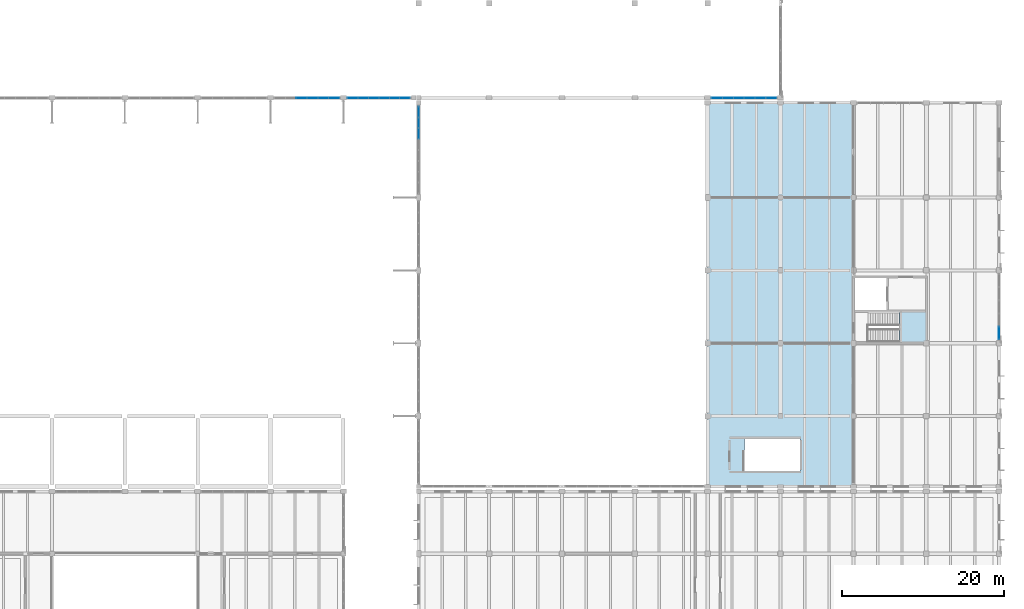
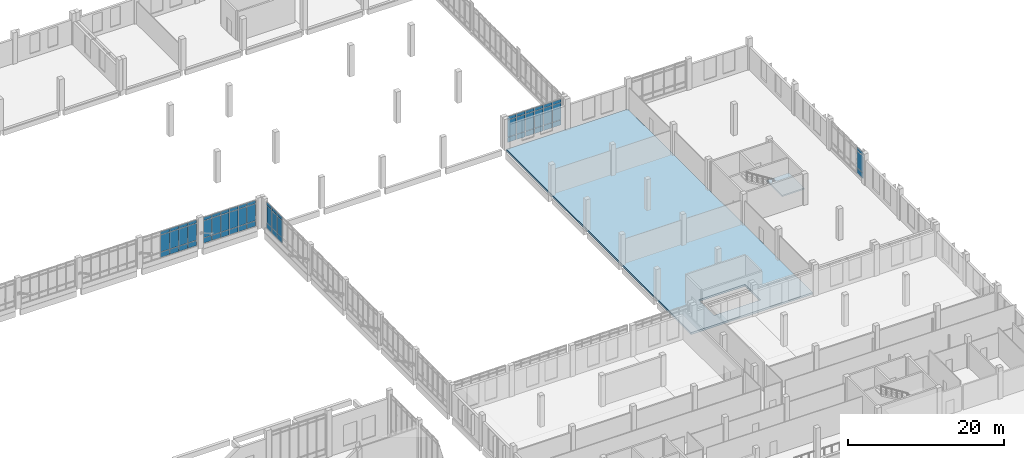
# One storey, part 66 of 110: 60 plates, 2 slabs, 6 elements without a shape of their own.
"""IFC4 building model written with IfcOpenShell, lengths in metres."""

from ifc_helpers import new_model, si_unit, direction, frame, origin, origin_2d, place, context, subcontext, project, spatial, polyline, rectangle, outline, extrude, material, layer, layer_set, type_object, element, aggregate, save


model = new_model("IFC4")

# Units and contexts
model_context = context("Model", 3, precision=1e-05, world=origin(), true_north=direction((0.0, 1.0)))
body_context = subcontext(model_context, "Body", "Model", "MODEL_VIEW")
ifc_project = project(units=[si_unit("LENGTHUNIT", "METRE"), si_unit("AREAUNIT", "SQUARE_METRE"), si_unit("VOLUMEUNIT", "CUBIC_METRE"), si_unit("PLANEANGLEUNIT", "RADIAN"), si_unit("MASSUNIT", "GRAM", prefix="KILO")], contexts=[model_context])

# Site, building, storey
site_placement = place(None, origin())
site = spatial("IfcSite", under=ifc_project, at=site_placement, CompositionType="ELEMENT")
building_placement = place(site_placement, origin())
building = spatial("IfcBuilding", under=site, at=building_placement, Name="Zacnel Wholesale Market", CompositionType="ELEMENT")
storey_placement = place(building_placement, frame((0.0, 0.0, 6.300048828125)))
storey = spatial("IfcBuildingStorey", under=building, at=storey_placement, Name="L02", CompositionType="ELEMENT", Elevation=6.300048828125)

# Curtain wall, plate
ifc_material_1 = material(Name="Anodised aluminium", Category="aluminium")
ifc_layer_1 = layer(ifc_material_1, 0.159912109375)
ifc_layer_set_1 = layer_set([ifc_layer_1], Name="Anodised aluminium")
curtain_wall_type_1 = type_object("IfcCurtainWallType", Name="CW-COURT-4500", PredefinedType="NOTDEFINED", material=ifc_layer_set_1)
curtain_wall_1_placement = place(storey_placement, origin())
curtain_wall_1 = element("IfcCurtainWall", 1, at=curtain_wall_1_placement, inside=storey, type_object=curtain_wall_type_1, Name="Curtain wall ENV-R2-CW-L02-047", PredefinedType="NOTDEFINED")
ifc_material_2 = material(Name="Laminated hurricane-impact low-E insulated glass", Category="glass")
ifc_layer_2 = layer(ifc_material_2, 0.028076171875)
ifc_layer_set_2 = layer_set([ifc_layer_2], Name="Laminated hurricane-impact low-E insulated glass")
plate_type_1 = type_object("IfcPlateType", Name="CWP-PNL-01", PredefinedType="CURTAIN_PANEL", material=ifc_layer_set_2)
plate_1_placement = place(storey_placement, frame((216.0, 67.260009765625, 1.330078125), z_axis=(0.0, 0.0, 1.0), x_axis=(0.0, 1.0, 0.0)))
plate_1 = element("IfcPlate", 2, at=plate_1_placement, type_object=plate_type_1, Name="ENV-R2-CW-L02-047 panel 1-2", PredefinedType="CURTAIN_PANEL", context=body_context, shape_type="SweptSolid", body=[
    extrude(rectangle(XDim=1.550048828125, YDim=0.028076171875, at=origin_2d()), origin(), (0.0, 0.0, 1.0), 2.639892578125),
])

# Curtain wall, plates
ifc_material_3 = material(Name="Anodised aluminium", Category="aluminium")
ifc_layer_3 = layer(ifc_material_3, 0.159912109375)
ifc_layer_set_3 = layer_set([ifc_layer_3], Name="Anodised aluminium")
curtain_wall_type_2 = type_object("IfcCurtainWallType", Name="CW-NAVE-4200", PredefinedType="NOTDEFINED", material=ifc_layer_set_3)
curtain_wall_2_placement = place(storey_placement, origin())
curtain_wall_2 = element("IfcCurtainWall", 3, at=curtain_wall_2_placement, inside=storey, type_object=curtain_wall_type_2, Name="Curtain wall ENV-R2-CW-L02-026", PredefinedType="NOTDEFINED")
ifc_material_4 = material(Name="Laminated hurricane-impact low-E insulated glass", Category="glass")
ifc_layer_4 = layer(ifc_material_4, 0.031982421875)
ifc_layer_set_4 = layer_set([ifc_layer_4], Name="Laminated hurricane-impact low-E insulated glass")
plate_type_2 = type_object("IfcPlateType", Name="CWP-PNL-02", PredefinedType="CURTAIN_PANEL", material=ifc_layer_set_4)
plate_2_placement = place(storey_placement, frame((129.83251953125, 96.300048828125, 1.330078125), z_axis=(0.0, 0.0, 1.0), x_axis=(1.0, 0.0, 0.0)))
plate_2 = element("IfcPlate", 4, at=plate_2_placement, type_object=plate_type_2, Name="ENV-R2-CW-L02-026 panel 3-2", PredefinedType="CURTAIN_PANEL", context=body_context, shape_type="SweptSolid", body=[
    extrude(rectangle(XDim=1.264892578125, YDim=0.031982421875, at=origin_2d()), origin(), (0.0, 0.0, 1.0), 2.639892578125),
])
plate_3_placement = place(storey_placement, frame((131.16748046875, 96.300048828125, 1.330078125), z_axis=(0.0, 0.0, 1.0), x_axis=(1.0, 0.0, 0.0)))
plate_3 = element("IfcPlate", 5, at=plate_3_placement, type_object=plate_type_2, Name="ENV-R2-CW-L02-026 panel 4-2", PredefinedType="CURTAIN_PANEL", context=body_context, shape_type="SweptSolid", body=[
    extrude(rectangle(XDim=1.264892578125, YDim=0.031982421875, at=origin_2d()), origin(), (0.0, 0.0, 1.0), 2.639892578125),
])
plate_4_placement = place(storey_placement, frame((132.50244140625, 96.300048828125, 1.330078125), z_axis=(0.0, 0.0, 1.0), x_axis=(1.0, 0.0, 0.0)))
plate_4 = element("IfcPlate", 6, at=plate_4_placement, type_object=plate_type_2, Name="ENV-R2-CW-L02-026 panel 5-2", PredefinedType="CURTAIN_PANEL", context=body_context, shape_type="SweptSolid", body=[
    extrude(rectangle(XDim=1.264892578125, YDim=0.031982421875, at=origin_2d()), origin(), (0.0, 0.0, 1.0), 2.639892578125),
])
plate_5_placement = place(storey_placement, frame((133.83740234375, 96.300048828125, 1.330078125), z_axis=(0.0, 0.0, 1.0), x_axis=(1.0, 0.0, 0.0)))
plate_5 = element("IfcPlate", 7, at=plate_5_placement, type_object=plate_type_2, Name="ENV-R2-CW-L02-026 panel 6-2", PredefinedType="CURTAIN_PANEL", context=body_context, shape_type="SweptSolid", body=[
    extrude(rectangle(XDim=1.264892578125, YDim=0.031982421875, at=origin_2d()), origin(), (0.0, 0.0, 1.0), 2.639892578125),
])

curtain_wall_3_placement = place(storey_placement, origin())
curtain_wall_3 = element("IfcCurtainWall", 8, at=curtain_wall_3_placement, inside=storey, type_object=curtain_wall_type_2, Name="Curtain wall ENV-R2-CW-L02-027", PredefinedType="NOTDEFINED")
plate_6_placement = place(storey_placement, frame((136.141357421875, 96.300048828125, 1.330078125), z_axis=(0.0, 0.0, 1.0), x_axis=(1.0, 0.0, 0.0)))
plate_6 = element("IfcPlate", 9, at=plate_6_placement, type_object=plate_type_2, Name="ENV-R2-CW-L02-027 panel 1-2", PredefinedType="CURTAIN_PANEL", context=body_context, shape_type="SweptSolid", body=[
    extrude(rectangle(XDim=1.222412109375, YDim=0.031982421875, at=origin_2d()), origin(), (0.0, 0.0, 1.0), 2.639892578125),
])
plate_7_placement = place(storey_placement, frame((137.43359375, 96.300048828125, 1.330078125), z_axis=(0.0, 0.0, 1.0), x_axis=(1.0, 0.0, 0.0)))
plate_7 = element("IfcPlate", 10, at=plate_7_placement, type_object=plate_type_2, Name="ENV-R2-CW-L02-027 panel 2-2", PredefinedType="CURTAIN_PANEL", context=body_context, shape_type="SweptSolid", body=[
    extrude(rectangle(XDim=1.222412109375, YDim=0.031982421875, at=origin_2d()), origin(), (0.0, 0.0, 1.0), 2.639892578125),
])
plate_8_placement = place(storey_placement, frame((138.726318359375, 96.300048828125, 1.330078125), z_axis=(0.0, 0.0, 1.0), x_axis=(1.0, 0.0, 0.0)))
plate_8 = element("IfcPlate", 11, at=plate_8_placement, type_object=plate_type_2, Name="ENV-R2-CW-L02-027 panel 3-2", PredefinedType="CURTAIN_PANEL", context=body_context, shape_type="SweptSolid", body=[
    extrude(rectangle(XDim=1.222412109375, YDim=0.031982421875, at=origin_2d()), origin(), (0.0, 0.0, 1.0), 2.639892578125),
])
plate_9_placement = place(storey_placement, frame((140.018798828125, 96.300048828125, 1.330078125), z_axis=(0.0, 0.0, 1.0), x_axis=(1.0, 0.0, 0.0)))
plate_9 = element("IfcPlate", 12, at=plate_9_placement, type_object=plate_type_2, Name="ENV-R2-CW-L02-027 panel 4-2", PredefinedType="CURTAIN_PANEL", context=body_context, shape_type="SweptSolid", body=[
    extrude(rectangle(XDim=1.222412109375, YDim=0.031982421875, at=origin_2d()), origin(), (0.0, 0.0, 1.0), 2.639892578125),
])
plate_10_placement = place(storey_placement, frame((141.311279296875, 96.300048828125, 1.330078125), z_axis=(0.0, 0.0, 1.0), x_axis=(1.0, 0.0, 0.0)))
plate_10 = element("IfcPlate", 13, at=plate_10_placement, type_object=plate_type_2, Name="ENV-R2-CW-L02-027 panel 5-2", PredefinedType="CURTAIN_PANEL", context=body_context, shape_type="SweptSolid", body=[
    extrude(rectangle(XDim=1.222412109375, YDim=0.031982421875, at=origin_2d()), origin(), (0.0, 0.0, 1.0), 2.639892578125),
])
plate_11_placement = place(storey_placement, frame((142.603759765625, 96.300048828125, 1.330078125), z_axis=(0.0, 0.0, 1.0), x_axis=(1.0, 0.0, 0.0)))
plate_11 = element("IfcPlate", 14, at=plate_11_placement, type_object=plate_type_2, Name="ENV-R2-CW-L02-027 panel 6-2", PredefinedType="CURTAIN_PANEL", context=body_context, shape_type="SweptSolid", body=[
    extrude(rectangle(XDim=1.222412109375, YDim=0.031982421875, at=origin_2d()), origin(), (0.0, 0.0, 1.0), 2.639892578125),
])

curtain_wall_4_placement = place(storey_placement, origin())
curtain_wall_4 = element("IfcCurtainWall", 15, at=curtain_wall_4_placement, inside=storey, type_object=curtain_wall_type_2, Name="Curtain wall ENV-R2-CW-L02-028", PredefinedType="NOTDEFINED")
plate_12_placement = place(storey_placement, frame((181.16259765625, 96.300048828125, 1.330078125), z_axis=(0.0, 0.0, 1.0), x_axis=(1.0, 0.0, 0.0)))
plate_12 = element("IfcPlate", 16, at=plate_12_placement, type_object=plate_type_2, Name="ENV-R2-CW-L02-028 panel 1-2", PredefinedType="CURTAIN_PANEL", context=body_context, shape_type="SweptSolid", body=[
    extrude(rectangle(XDim=1.264892578125, YDim=0.031982421875, at=origin_2d()), origin(), (0.0, 0.0, 1.0), 2.639892578125),
])
plate_13_placement = place(storey_placement, frame((182.49755859375, 96.300048828125, 1.330078125), z_axis=(0.0, 0.0, 1.0), x_axis=(1.0, 0.0, 0.0)))
plate_13 = element("IfcPlate", 17, at=plate_13_placement, type_object=plate_type_2, Name="ENV-R2-CW-L02-028 panel 2-2", PredefinedType="CURTAIN_PANEL", context=body_context, shape_type="SweptSolid", body=[
    extrude(rectangle(XDim=1.264892578125, YDim=0.031982421875, at=origin_2d()), origin(), (0.0, 0.0, 1.0), 2.639892578125),
])
plate_14_placement = place(storey_placement, frame((183.83251953125, 96.300048828125, 1.330078125), z_axis=(0.0, 0.0, 1.0), x_axis=(1.0, 0.0, 0.0)))
plate_14 = element("IfcPlate", 18, at=plate_14_placement, type_object=plate_type_2, Name="ENV-R2-CW-L02-028 panel 3-2", PredefinedType="CURTAIN_PANEL", context=body_context, shape_type="SweptSolid", body=[
    extrude(rectangle(XDim=1.264892578125, YDim=0.031982421875, at=origin_2d()), origin(), (0.0, 0.0, 1.0), 2.639892578125),
])
plate_15_placement = place(storey_placement, frame((185.16748046875, 96.300048828125, 1.330078125), z_axis=(0.0, 0.0, 1.0), x_axis=(1.0, 0.0, 0.0)))
plate_15 = element("IfcPlate", 19, at=plate_15_placement, type_object=plate_type_2, Name="ENV-R2-CW-L02-028 panel 4-2", PredefinedType="CURTAIN_PANEL", context=body_context, shape_type="SweptSolid", body=[
    extrude(rectangle(XDim=1.264892578125, YDim=0.031982421875, at=origin_2d()), origin(), (0.0, 0.0, 1.0), 2.639892578125),
])
plate_16_placement = place(storey_placement, frame((186.50244140625, 96.300048828125, 1.330078125), z_axis=(0.0, 0.0, 1.0), x_axis=(1.0, 0.0, 0.0)))
plate_16 = element("IfcPlate", 20, at=plate_16_placement, type_object=plate_type_2, Name="ENV-R2-CW-L02-028 panel 5-2", PredefinedType="CURTAIN_PANEL", context=body_context, shape_type="SweptSolid", body=[
    extrude(rectangle(XDim=1.264892578125, YDim=0.031982421875, at=origin_2d()), origin(), (0.0, 0.0, 1.0), 2.639892578125),
])
plate_17_placement = place(storey_placement, frame((187.83740234375, 96.300048828125, 1.330078125), z_axis=(0.0, 0.0, 1.0), x_axis=(1.0, 0.0, 0.0)))
plate_17 = element("IfcPlate", 21, at=plate_17_placement, type_object=plate_type_2, Name="ENV-R2-CW-L02-028 panel 6-2", PredefinedType="CURTAIN_PANEL", context=body_context, shape_type="SweptSolid", body=[
    extrude(rectangle(XDim=1.264892578125, YDim=0.031982421875, at=origin_2d()), origin(), (0.0, 0.0, 1.0), 2.639892578125),
])

curtain_wall_5_placement = place(storey_placement, origin())
curtain_wall_5 = element("IfcCurtainWall", 22, at=curtain_wall_5_placement, inside=storey, type_object=curtain_wall_type_2, Name="Curtain wall ENV-R2-CW-L02-045", PredefinedType="NOTDEFINED")
plate_18_placement = place(storey_placement, frame((144.300048828125, 91.88916015625, 1.330078125), z_axis=(0.0, 0.0, 1.0), x_axis=(0.0, 1.0, 0.0)))
plate_18 = element("IfcPlate", 23, at=plate_18_placement, type_object=plate_type_2, Name="ENV-R2-CW-L02-045 panel 6-2", PredefinedType="CURTAIN_PANEL", context=body_context, shape_type="SweptSolid", body=[
    extrude(rectangle(XDim=1.2744140625, YDim=0.031982421875, at=origin_2d()), origin(), (0.0, 0.0, 1.0), 2.639892578125),
])
plate_19_placement = place(storey_placement, frame((144.300048828125, 93.2333984375, 1.330078125), z_axis=(0.0, 0.0, 1.0), x_axis=(0.0, 1.0, 0.0)))
plate_19 = element("IfcPlate", 24, at=plate_19_placement, type_object=plate_type_2, Name="ENV-R2-CW-L02-045 panel 7-2", PredefinedType="CURTAIN_PANEL", context=body_context, shape_type="SweptSolid", body=[
    extrude(rectangle(XDim=1.2744140625, YDim=0.031982421875, at=origin_2d()), origin(), (0.0, 0.0, 1.0), 2.639892578125),
])
plate_20_placement = place(storey_placement, frame((144.300048828125, 94.577880859375, 1.330078125), z_axis=(0.0, 0.0, 1.0), x_axis=(0.0, 1.0, 0.0)))
plate_20 = element("IfcPlate", 25, at=plate_20_placement, type_object=plate_type_2, Name="ENV-R2-CW-L02-045 panel 8-2", PredefinedType="CURTAIN_PANEL", context=body_context, shape_type="SweptSolid", body=[
    extrude(rectangle(XDim=1.2744140625, YDim=0.031982421875, at=origin_2d()), origin(), (0.0, 0.0, 1.0), 2.639892578125),
])

# Plate
ifc_material_5 = material(Name="Anodised aluminium", Category="aluminium")
ifc_layer_5 = layer(ifc_material_5, 0.0400390625)
ifc_layer_set_5 = layer_set([ifc_layer_5], Name="Anodised aluminium")
plate_type_3 = type_object("IfcPlateType", Name="CWP-PNL-05", PredefinedType="CURTAIN_PANEL", material=ifc_layer_set_5)
plate_21_placement = place(storey_placement, frame((129.83251953125, 96.300048828125, 0.47998046875), z_axis=(0.0, 0.0, 1.0), x_axis=(1.0, 0.0, 0.0)))
plate_21 = element("IfcPlate", 26, at=plate_21_placement, type_object=plate_type_3, Name="ENV-R2-CW-L02-026 panel 3-1", PredefinedType="CURTAIN_PANEL", context=body_context, shape_type="SweptSolid", body=[
    extrude(rectangle(XDim=1.264892578125, YDim=0.0400390625, at=origin_2d()), origin(), (0.0, 0.0, 1.0), 0.7900390625),
])

plate_22_placement = place(storey_placement, frame((129.83251953125, 96.300048828125, 4.02978515625), z_axis=(0.0, 0.0, 1.0), x_axis=(1.0, 0.0, 0.0)))
plate_22 = element("IfcPlate", 27, at=plate_22_placement, type_object=plate_type_3, Name="ENV-R2-CW-L02-026 panel 3-3", PredefinedType="CURTAIN_PANEL", context=body_context, shape_type="SweptSolid", body=[
    extrude(rectangle(XDim=1.264892578125, YDim=0.0400390625, at=origin_2d()), origin(), (0.0, 0.0, 1.0), 0.489990234375),
])

plate_23_placement = place(storey_placement, frame((132.50244140625, 96.300048828125, 0.47998046875), z_axis=(0.0, 0.0, 1.0), x_axis=(1.0, 0.0, 0.0)))
plate_23 = element("IfcPlate", 28, at=plate_23_placement, type_object=plate_type_3, Name="ENV-R2-CW-L02-026 panel 5-1", PredefinedType="CURTAIN_PANEL", context=body_context, shape_type="SweptSolid", body=[
    extrude(rectangle(XDim=1.264892578125, YDim=0.0400390625, at=origin_2d()), origin(), (0.0, 0.0, 1.0), 0.7900390625),
])

plate_24_placement = place(storey_placement, frame((132.50244140625, 96.300048828125, 4.02978515625), z_axis=(0.0, 0.0, 1.0), x_axis=(1.0, 0.0, 0.0)))
plate_24 = element("IfcPlate", 29, at=plate_24_placement, type_object=plate_type_3, Name="ENV-R2-CW-L02-026 panel 5-3", PredefinedType="CURTAIN_PANEL", context=body_context, shape_type="SweptSolid", body=[
    extrude(rectangle(XDim=1.264892578125, YDim=0.0400390625, at=origin_2d()), origin(), (0.0, 0.0, 1.0), 0.489990234375),
])

plate_25_placement = place(storey_placement, frame((136.141357421875, 96.300048828125, 0.47998046875), z_axis=(0.0, 0.0, 1.0), x_axis=(1.0, 0.0, 0.0)))
plate_25 = element("IfcPlate", 30, at=plate_25_placement, type_object=plate_type_3, Name="ENV-R2-CW-L02-027 panel 1-1", PredefinedType="CURTAIN_PANEL", context=body_context, shape_type="SweptSolid", body=[
    extrude(rectangle(XDim=1.222412109375, YDim=0.0400390625, at=origin_2d()), origin(), (0.0, 0.0, 1.0), 0.7900390625),
])

plate_26_placement = place(storey_placement, frame((136.141357421875, 96.300048828125, 4.02978515625), z_axis=(0.0, 0.0, 1.0), x_axis=(1.0, 0.0, 0.0)))
plate_26 = element("IfcPlate", 31, at=plate_26_placement, type_object=plate_type_3, Name="ENV-R2-CW-L02-027 panel 1-3", PredefinedType="CURTAIN_PANEL", context=body_context, shape_type="SweptSolid", body=[
    extrude(rectangle(XDim=1.222412109375, YDim=0.0400390625, at=origin_2d()), origin(), (0.0, 0.0, 1.0), 0.489990234375),
])

plate_27_placement = place(storey_placement, frame((138.726318359375, 96.300048828125, 0.47998046875), z_axis=(0.0, 0.0, 1.0), x_axis=(1.0, 0.0, 0.0)))
plate_27 = element("IfcPlate", 32, at=plate_27_placement, type_object=plate_type_3, Name="ENV-R2-CW-L02-027 panel 3-1", PredefinedType="CURTAIN_PANEL", context=body_context, shape_type="SweptSolid", body=[
    extrude(rectangle(XDim=1.222412109375, YDim=0.0400390625, at=origin_2d()), origin(), (0.0, 0.0, 1.0), 0.7900390625),
])

plate_28_placement = place(storey_placement, frame((138.726318359375, 96.300048828125, 4.02978515625), z_axis=(0.0, 0.0, 1.0), x_axis=(1.0, 0.0, 0.0)))
plate_28 = element("IfcPlate", 33, at=plate_28_placement, type_object=plate_type_3, Name="ENV-R2-CW-L02-027 panel 3-3", PredefinedType="CURTAIN_PANEL", context=body_context, shape_type="SweptSolid", body=[
    extrude(rectangle(XDim=1.222412109375, YDim=0.0400390625, at=origin_2d()), origin(), (0.0, 0.0, 1.0), 0.489990234375),
])

plate_29_placement = place(storey_placement, frame((141.311279296875, 96.300048828125, 0.47998046875), z_axis=(0.0, 0.0, 1.0), x_axis=(1.0, 0.0, 0.0)))
plate_29 = element("IfcPlate", 34, at=plate_29_placement, type_object=plate_type_3, Name="ENV-R2-CW-L02-027 panel 5-1", PredefinedType="CURTAIN_PANEL", context=body_context, shape_type="SweptSolid", body=[
    extrude(rectangle(XDim=1.222412109375, YDim=0.0400390625, at=origin_2d()), origin(), (0.0, 0.0, 1.0), 0.7900390625),
])

plate_30_placement = place(storey_placement, frame((141.311279296875, 96.300048828125, 4.02978515625), z_axis=(0.0, 0.0, 1.0), x_axis=(1.0, 0.0, 0.0)))
plate_30 = element("IfcPlate", 35, at=plate_30_placement, type_object=plate_type_3, Name="ENV-R2-CW-L02-027 panel 5-3", PredefinedType="CURTAIN_PANEL", context=body_context, shape_type="SweptSolid", body=[
    extrude(rectangle(XDim=1.222412109375, YDim=0.0400390625, at=origin_2d()), origin(), (0.0, 0.0, 1.0), 0.489990234375),
])

plate_31_placement = place(storey_placement, frame((181.16259765625, 96.300048828125, 0.47998046875), z_axis=(0.0, 0.0, 1.0), x_axis=(1.0, 0.0, 0.0)))
plate_31 = element("IfcPlate", 36, at=plate_31_placement, type_object=plate_type_3, Name="ENV-R2-CW-L02-028 panel 1-1", PredefinedType="CURTAIN_PANEL", context=body_context, shape_type="SweptSolid", body=[
    extrude(rectangle(XDim=1.264892578125, YDim=0.0400390625, at=origin_2d()), origin(), (0.0, 0.0, 1.0), 0.7900390625),
])

plate_32_placement = place(storey_placement, frame((181.16259765625, 96.300048828125, 4.02978515625), z_axis=(0.0, 0.0, 1.0), x_axis=(1.0, 0.0, 0.0)))
plate_32 = element("IfcPlate", 37, at=plate_32_placement, type_object=plate_type_3, Name="ENV-R2-CW-L02-028 panel 1-3", PredefinedType="CURTAIN_PANEL", context=body_context, shape_type="SweptSolid", body=[
    extrude(rectangle(XDim=1.264892578125, YDim=0.0400390625, at=origin_2d()), origin(), (0.0, 0.0, 1.0), 0.489990234375),
])

plate_33_placement = place(storey_placement, frame((183.83251953125, 96.300048828125, 0.47998046875), z_axis=(0.0, 0.0, 1.0), x_axis=(1.0, 0.0, 0.0)))
plate_33 = element("IfcPlate", 38, at=plate_33_placement, type_object=plate_type_3, Name="ENV-R2-CW-L02-028 panel 3-1", PredefinedType="CURTAIN_PANEL", context=body_context, shape_type="SweptSolid", body=[
    extrude(rectangle(XDim=1.264892578125, YDim=0.0400390625, at=origin_2d()), origin(), (0.0, 0.0, 1.0), 0.7900390625),
])

plate_34_placement = place(storey_placement, frame((183.83251953125, 96.300048828125, 4.02978515625), z_axis=(0.0, 0.0, 1.0), x_axis=(1.0, 0.0, 0.0)))
plate_34 = element("IfcPlate", 39, at=plate_34_placement, type_object=plate_type_3, Name="ENV-R2-CW-L02-028 panel 3-3", PredefinedType="CURTAIN_PANEL", context=body_context, shape_type="SweptSolid", body=[
    extrude(rectangle(XDim=1.264892578125, YDim=0.0400390625, at=origin_2d()), origin(), (0.0, 0.0, 1.0), 0.489990234375),
])

plate_35_placement = place(storey_placement, frame((186.50244140625, 96.300048828125, 0.47998046875), z_axis=(0.0, 0.0, 1.0), x_axis=(1.0, 0.0, 0.0)))
plate_35 = element("IfcPlate", 40, at=plate_35_placement, type_object=plate_type_3, Name="ENV-R2-CW-L02-028 panel 5-1", PredefinedType="CURTAIN_PANEL", context=body_context, shape_type="SweptSolid", body=[
    extrude(rectangle(XDim=1.264892578125, YDim=0.0400390625, at=origin_2d()), origin(), (0.0, 0.0, 1.0), 0.7900390625),
])

plate_36_placement = place(storey_placement, frame((186.50244140625, 96.300048828125, 4.02978515625), z_axis=(0.0, 0.0, 1.0), x_axis=(1.0, 0.0, 0.0)))
plate_36 = element("IfcPlate", 41, at=plate_36_placement, type_object=plate_type_3, Name="ENV-R2-CW-L02-028 panel 5-3", PredefinedType="CURTAIN_PANEL", context=body_context, shape_type="SweptSolid", body=[
    extrude(rectangle(XDim=1.264892578125, YDim=0.0400390625, at=origin_2d()), origin(), (0.0, 0.0, 1.0), 0.489990234375),
])

plate_37_placement = place(storey_placement, frame((144.300048828125, 93.2333984375, 0.47998046875), z_axis=(0.0, 0.0, 1.0), x_axis=(0.0, 1.0, 0.0)))
plate_37 = element("IfcPlate", 42, at=plate_37_placement, type_object=plate_type_3, Name="ENV-R2-CW-L02-045 panel 7-1", PredefinedType="CURTAIN_PANEL", context=body_context, shape_type="SweptSolid", body=[
    extrude(rectangle(XDim=1.2744140625, YDim=0.0400390625, at=origin_2d()), origin(), (0.0, 0.0, 1.0), 0.7900390625),
])

plate_38_placement = place(storey_placement, frame((144.300048828125, 93.2333984375, 4.02978515625), z_axis=(0.0, 0.0, 1.0), x_axis=(0.0, 1.0, 0.0)))
plate_38 = element("IfcPlate", 43, at=plate_38_placement, type_object=plate_type_3, Name="ENV-R2-CW-L02-045 panel 7-3", PredefinedType="CURTAIN_PANEL", context=body_context, shape_type="SweptSolid", body=[
    extrude(rectangle(XDim=1.2744140625, YDim=0.0400390625, at=origin_2d()), origin(), (0.0, 0.0, 1.0), 0.489990234375),
])

plate_39_placement = place(storey_placement, frame((216.0, 67.260009765625, 0.47998046875), z_axis=(0.0, 0.0, 1.0), x_axis=(0.0, 1.0, 0.0)))
plate_39 = element("IfcPlate", 44, at=plate_39_placement, type_object=plate_type_3, Name="ENV-R2-CW-L02-047 panel 1-1", PredefinedType="CURTAIN_PANEL", context=body_context, shape_type="SweptSolid", body=[
    extrude(rectangle(XDim=1.550048828125, YDim=0.0400390625, at=origin_2d()), origin(), (0.0, 0.0, 1.0), 0.7900390625),
])

plate_40_placement = place(storey_placement, frame((216.0, 67.260009765625, 4.02978515625), z_axis=(0.0, 0.0, 1.0), x_axis=(0.0, 1.0, 0.0)))
plate_40 = element("IfcPlate", 45, at=plate_40_placement, type_object=plate_type_3, Name="ENV-R2-CW-L02-047 panel 1-3", PredefinedType="CURTAIN_PANEL", context=body_context, shape_type="SweptSolid", body=[
    extrude(rectangle(XDim=1.550048828125, YDim=0.0400390625, at=origin_2d()), origin(), (0.0, 0.0, 1.0), 0.489990234375),
])

aggregate(curtain_wall_1, [plate_39, plate_1, plate_40])

ifc_material_6 = material(Name="Honed Yucatan Maya cream limestone", Category="masonry")
ifc_layer_6 = layer(ifc_material_6, 0.044921875)
ifc_layer_set_6 = layer_set([ifc_layer_6], Name="Honed Yucatan Maya cream limestone")
plate_type_4 = type_object("IfcPlateType", Name="CWP-PNL-06", PredefinedType="CURTAIN_PANEL", material=ifc_layer_set_6)
plate_41_placement = place(storey_placement, frame((131.16748046875, 96.300048828125, 0.47998046875), z_axis=(0.0, 0.0, 1.0), x_axis=(1.0, 0.0, 0.0)))
plate_41 = element("IfcPlate", 46, at=plate_41_placement, type_object=plate_type_4, Name="ENV-R2-CW-L02-026 panel 4-1", PredefinedType="CURTAIN_PANEL", context=body_context, shape_type="SweptSolid", body=[
    extrude(rectangle(XDim=1.264892578125, YDim=0.044921875, at=origin_2d()), origin(), (0.0, 0.0, 1.0), 0.7900390625),
])

plate_42_placement = place(storey_placement, frame((131.16748046875, 96.300048828125, 4.02978515625), z_axis=(0.0, 0.0, 1.0), x_axis=(1.0, 0.0, 0.0)))
plate_42 = element("IfcPlate", 47, at=plate_42_placement, type_object=plate_type_4, Name="ENV-R2-CW-L02-026 panel 4-3", PredefinedType="CURTAIN_PANEL", context=body_context, shape_type="SweptSolid", body=[
    extrude(rectangle(XDim=1.264892578125, YDim=0.044921875, at=origin_2d()), origin(), (0.0, 0.0, 1.0), 0.489990234375),
])

plate_43_placement = place(storey_placement, frame((133.83740234375, 96.300048828125, 0.47998046875), z_axis=(0.0, 0.0, 1.0), x_axis=(1.0, 0.0, 0.0)))
plate_43 = element("IfcPlate", 48, at=plate_43_placement, type_object=plate_type_4, Name="ENV-R2-CW-L02-026 panel 6-1", PredefinedType="CURTAIN_PANEL", context=body_context, shape_type="SweptSolid", body=[
    extrude(rectangle(XDim=1.264892578125, YDim=0.044921875, at=origin_2d()), origin(), (0.0, 0.0, 1.0), 0.7900390625),
])

plate_44_placement = place(storey_placement, frame((133.83740234375, 96.300048828125, 4.02978515625), z_axis=(0.0, 0.0, 1.0), x_axis=(1.0, 0.0, 0.0)))
plate_44 = element("IfcPlate", 49, at=plate_44_placement, type_object=plate_type_4, Name="ENV-R2-CW-L02-026 panel 6-3", PredefinedType="CURTAIN_PANEL", context=body_context, shape_type="SweptSolid", body=[
    extrude(rectangle(XDim=1.264892578125, YDim=0.044921875, at=origin_2d()), origin(), (0.0, 0.0, 1.0), 0.489990234375),
])

aggregate(curtain_wall_2, [plate_21, plate_2, plate_22, plate_41, plate_3, plate_42, plate_23, plate_4, plate_24, plate_43, plate_5, plate_44])

plate_45_placement = place(storey_placement, frame((137.43359375, 96.300048828125, 0.47998046875), z_axis=(0.0, 0.0, 1.0), x_axis=(1.0, 0.0, 0.0)))
plate_45 = element("IfcPlate", 50, at=plate_45_placement, type_object=plate_type_4, Name="ENV-R2-CW-L02-027 panel 2-1", PredefinedType="CURTAIN_PANEL", context=body_context, shape_type="SweptSolid", body=[
    extrude(rectangle(XDim=1.222412109375, YDim=0.044921875, at=origin_2d()), origin(), (0.0, 0.0, 1.0), 0.7900390625),
])

plate_46_placement = place(storey_placement, frame((137.43359375, 96.300048828125, 4.02978515625), z_axis=(0.0, 0.0, 1.0), x_axis=(1.0, 0.0, 0.0)))
plate_46 = element("IfcPlate", 51, at=plate_46_placement, type_object=plate_type_4, Name="ENV-R2-CW-L02-027 panel 2-3", PredefinedType="CURTAIN_PANEL", context=body_context, shape_type="SweptSolid", body=[
    extrude(rectangle(XDim=1.222412109375, YDim=0.044921875, at=origin_2d()), origin(), (0.0, 0.0, 1.0), 0.489990234375),
])

plate_47_placement = place(storey_placement, frame((140.018798828125, 96.300048828125, 0.47998046875), z_axis=(0.0, 0.0, 1.0), x_axis=(1.0, 0.0, 0.0)))
plate_47 = element("IfcPlate", 52, at=plate_47_placement, type_object=plate_type_4, Name="ENV-R2-CW-L02-027 panel 4-1", PredefinedType="CURTAIN_PANEL", context=body_context, shape_type="SweptSolid", body=[
    extrude(rectangle(XDim=1.222412109375, YDim=0.044921875, at=origin_2d()), origin(), (0.0, 0.0, 1.0), 0.7900390625),
])

plate_48_placement = place(storey_placement, frame((140.018798828125, 96.300048828125, 4.02978515625), z_axis=(0.0, 0.0, 1.0), x_axis=(1.0, 0.0, 0.0)))
plate_48 = element("IfcPlate", 53, at=plate_48_placement, type_object=plate_type_4, Name="ENV-R2-CW-L02-027 panel 4-3", PredefinedType="CURTAIN_PANEL", context=body_context, shape_type="SweptSolid", body=[
    extrude(rectangle(XDim=1.222412109375, YDim=0.044921875, at=origin_2d()), origin(), (0.0, 0.0, 1.0), 0.489990234375),
])

plate_49_placement = place(storey_placement, frame((142.603759765625, 96.300048828125, 0.47998046875), z_axis=(0.0, 0.0, 1.0), x_axis=(1.0, 0.0, 0.0)))
plate_49 = element("IfcPlate", 54, at=plate_49_placement, type_object=plate_type_4, Name="ENV-R2-CW-L02-027 panel 6-1", PredefinedType="CURTAIN_PANEL", context=body_context, shape_type="SweptSolid", body=[
    extrude(rectangle(XDim=1.222412109375, YDim=0.044921875, at=origin_2d()), origin(), (0.0, 0.0, 1.0), 0.7900390625),
])

plate_50_placement = place(storey_placement, frame((142.603759765625, 96.300048828125, 4.02978515625), z_axis=(0.0, 0.0, 1.0), x_axis=(1.0, 0.0, 0.0)))
plate_50 = element("IfcPlate", 55, at=plate_50_placement, type_object=plate_type_4, Name="ENV-R2-CW-L02-027 panel 6-3", PredefinedType="CURTAIN_PANEL", context=body_context, shape_type="SweptSolid", body=[
    extrude(rectangle(XDim=1.222412109375, YDim=0.044921875, at=origin_2d()), origin(), (0.0, 0.0, 1.0), 0.489990234375),
])

aggregate(curtain_wall_3, [plate_25, plate_6, plate_26, plate_45, plate_7, plate_46, plate_27, plate_8, plate_28, plate_47, plate_9, plate_48, plate_29, plate_10, plate_30, plate_49, plate_11, plate_50])

plate_51_placement = place(storey_placement, frame((182.49755859375, 96.300048828125, 0.47998046875), z_axis=(0.0, 0.0, 1.0), x_axis=(1.0, 0.0, 0.0)))
plate_51 = element("IfcPlate", 56, at=plate_51_placement, type_object=plate_type_4, Name="ENV-R2-CW-L02-028 panel 2-1", PredefinedType="CURTAIN_PANEL", context=body_context, shape_type="SweptSolid", body=[
    extrude(rectangle(XDim=1.264892578125, YDim=0.044921875, at=origin_2d()), origin(), (0.0, 0.0, 1.0), 0.7900390625),
])

plate_52_placement = place(storey_placement, frame((182.49755859375, 96.300048828125, 4.02978515625), z_axis=(0.0, 0.0, 1.0), x_axis=(1.0, 0.0, 0.0)))
plate_52 = element("IfcPlate", 57, at=plate_52_placement, type_object=plate_type_4, Name="ENV-R2-CW-L02-028 panel 2-3", PredefinedType="CURTAIN_PANEL", context=body_context, shape_type="SweptSolid", body=[
    extrude(rectangle(XDim=1.264892578125, YDim=0.044921875, at=origin_2d()), origin(), (0.0, 0.0, 1.0), 0.489990234375),
])

plate_53_placement = place(storey_placement, frame((185.16748046875, 96.300048828125, 0.47998046875), z_axis=(0.0, 0.0, 1.0), x_axis=(1.0, 0.0, 0.0)))
plate_53 = element("IfcPlate", 58, at=plate_53_placement, type_object=plate_type_4, Name="ENV-R2-CW-L02-028 panel 4-1", PredefinedType="CURTAIN_PANEL", context=body_context, shape_type="SweptSolid", body=[
    extrude(rectangle(XDim=1.264892578125, YDim=0.044921875, at=origin_2d()), origin(), (0.0, 0.0, 1.0), 0.7900390625),
])

plate_54_placement = place(storey_placement, frame((185.16748046875, 96.300048828125, 4.02978515625), z_axis=(0.0, 0.0, 1.0), x_axis=(1.0, 0.0, 0.0)))
plate_54 = element("IfcPlate", 59, at=plate_54_placement, type_object=plate_type_4, Name="ENV-R2-CW-L02-028 panel 4-3", PredefinedType="CURTAIN_PANEL", context=body_context, shape_type="SweptSolid", body=[
    extrude(rectangle(XDim=1.264892578125, YDim=0.044921875, at=origin_2d()), origin(), (0.0, 0.0, 1.0), 0.489990234375),
])

plate_55_placement = place(storey_placement, frame((187.83740234375, 96.300048828125, 0.47998046875), z_axis=(0.0, 0.0, 1.0), x_axis=(1.0, 0.0, 0.0)))
plate_55 = element("IfcPlate", 60, at=plate_55_placement, type_object=plate_type_4, Name="ENV-R2-CW-L02-028 panel 6-1", PredefinedType="CURTAIN_PANEL", context=body_context, shape_type="SweptSolid", body=[
    extrude(rectangle(XDim=1.264892578125, YDim=0.044921875, at=origin_2d()), origin(), (0.0, 0.0, 1.0), 0.7900390625),
])

plate_56_placement = place(storey_placement, frame((187.83740234375, 96.300048828125, 4.02978515625), z_axis=(0.0, 0.0, 1.0), x_axis=(1.0, 0.0, 0.0)))
plate_56 = element("IfcPlate", 61, at=plate_56_placement, type_object=plate_type_4, Name="ENV-R2-CW-L02-028 panel 6-3", PredefinedType="CURTAIN_PANEL", context=body_context, shape_type="SweptSolid", body=[
    extrude(rectangle(XDim=1.264892578125, YDim=0.044921875, at=origin_2d()), origin(), (0.0, 0.0, 1.0), 0.489990234375),
])

aggregate(curtain_wall_4, [plate_31, plate_12, plate_32, plate_51, plate_13, plate_52, plate_33, plate_14, plate_34, plate_53, plate_15, plate_54, plate_35, plate_16, plate_36, plate_55, plate_17, plate_56])

plate_57_placement = place(storey_placement, frame((144.300048828125, 91.88916015625, 0.47998046875), z_axis=(0.0, 0.0, 1.0), x_axis=(0.0, 1.0, 0.0)))
plate_57 = element("IfcPlate", 62, at=plate_57_placement, type_object=plate_type_4, Name="ENV-R2-CW-L02-045 panel 6-1", PredefinedType="CURTAIN_PANEL", context=body_context, shape_type="SweptSolid", body=[
    extrude(rectangle(XDim=1.2744140625, YDim=0.044921875, at=origin_2d()), origin(), (0.0, 0.0, 1.0), 0.7900390625),
])

plate_58_placement = place(storey_placement, frame((144.300048828125, 91.88916015625, 4.02978515625), z_axis=(0.0, 0.0, 1.0), x_axis=(0.0, 1.0, 0.0)))
plate_58 = element("IfcPlate", 63, at=plate_58_placement, type_object=plate_type_4, Name="ENV-R2-CW-L02-045 panel 6-3", PredefinedType="CURTAIN_PANEL", context=body_context, shape_type="SweptSolid", body=[
    extrude(rectangle(XDim=1.2744140625, YDim=0.044921875, at=origin_2d()), origin(), (0.0, 0.0, 1.0), 0.489990234375),
])

plate_59_placement = place(storey_placement, frame((144.300048828125, 94.577880859375, 0.47998046875), z_axis=(0.0, 0.0, 1.0), x_axis=(0.0, 1.0, 0.0)))
plate_59 = element("IfcPlate", 64, at=plate_59_placement, type_object=plate_type_4, Name="ENV-R2-CW-L02-045 panel 8-1", PredefinedType="CURTAIN_PANEL", context=body_context, shape_type="SweptSolid", body=[
    extrude(rectangle(XDim=1.2744140625, YDim=0.044921875, at=origin_2d()), origin(), (0.0, 0.0, 1.0), 0.7900390625),
])

plate_60_placement = place(storey_placement, frame((144.300048828125, 94.577880859375, 4.02978515625), z_axis=(0.0, 0.0, 1.0), x_axis=(0.0, 1.0, 0.0)))
plate_60 = element("IfcPlate", 65, at=plate_60_placement, type_object=plate_type_4, Name="ENV-R2-CW-L02-045 panel 8-3", PredefinedType="CURTAIN_PANEL", context=body_context, shape_type="SweptSolid", body=[
    extrude(rectangle(XDim=1.2744140625, YDim=0.044921875, at=origin_2d()), origin(), (0.0, 0.0, 1.0), 0.489990234375),
])

aggregate(curtain_wall_5, [plate_57, plate_18, plate_58, plate_37, plate_19, plate_38, plate_59, plate_20, plate_60])

# Slab
ifc_material_7 = material(Name="Precast concrete C45/55", Category="concrete")
ifc_layer_7 = layer(ifc_material_7, 0.300048828125)
ifc_layer_set_7 = layer_set([ifc_layer_7], Name="Precast concrete C45/55")
slab_type_1 = type_object("IfcSlabType", Name="SLB-FLR-300", PredefinedType="FLOOR", material=ifc_layer_set_7)
slab_1_placement = place(storey_placement, frame((0.0, 0.0, -0.300048828125)))
element("IfcSlab", 66, at=slab_1_placement, inside=storey, type_object=slab_type_1, Name="Structural slab SLB-L02-V1E-P1", PredefinedType="FLOOR", context=body_context, shape_type="SweptSolid", body=[
    extrude(outline(polyline([(198.0, 95.699951171875), (198.0, 48.300048828125), (180.0, 48.300048828125), (180.0, 95.699951171875), (198.0, 95.699951171875)]), holes=[polyline([(184.52001953125, 50.199951171875), (191.39990234375, 50.199951171875), (191.39990234375, 54.199951171875), (184.52001953125, 54.199951171875), (184.52001953125, 50.199951171875)])]), origin(), (0.0, 0.0, 1.0), 0.300048828125),
])

# Stair, slab
ifc_material_8 = material(Name="Precast concrete C45/55", Category="concrete")
stair_type = type_object("IfcStairType", Name="STR-DOGLEG-1550", PredefinedType="HALF_TURN_STAIR", material=ifc_material_8)
stair_placement = place(storey_placement, origin())
stair = element("IfcStair", 67, at=stair_placement, inside=storey, type_object=stair_type, Name="Stair ST-27 (L02)", PredefinedType="HALF_TURN_STAIR")
ifc_material_9 = material(Name="Precast concrete C45/55", Category="concrete")
ifc_layer_8 = layer(ifc_material_9, 0.199951171875)
ifc_layer_set_8 = layer_set([ifc_layer_8], Name="Precast concrete C45/55")
slab_type_2 = type_object("IfcSlabType", Name="SLB-LAND-200", PredefinedType="LANDING", material=ifc_layer_set_8)
slab_2_placement = place(storey_placement, frame((0.0, 0.0, 2.25)))
slab_2 = element("IfcSlab", 68, at=slab_2_placement, type_object=slab_type_2, Name="ST-27 landing 1", PredefinedType="LANDING", context=body_context, shape_type="SweptSolid", body=[
    extrude(outline(polyline([(203.7099609375, 65.989990234375), (207.010009765625, 65.989990234375), (207.010009765625, 69.9599609375), (203.7099609375, 69.9599609375), (203.7099609375, 65.989990234375)])), origin(), (0.0, 0.0, 1.0), 0.199951171875),
])
aggregate(stair, [slab_2])

save(model, "model.ifc")
